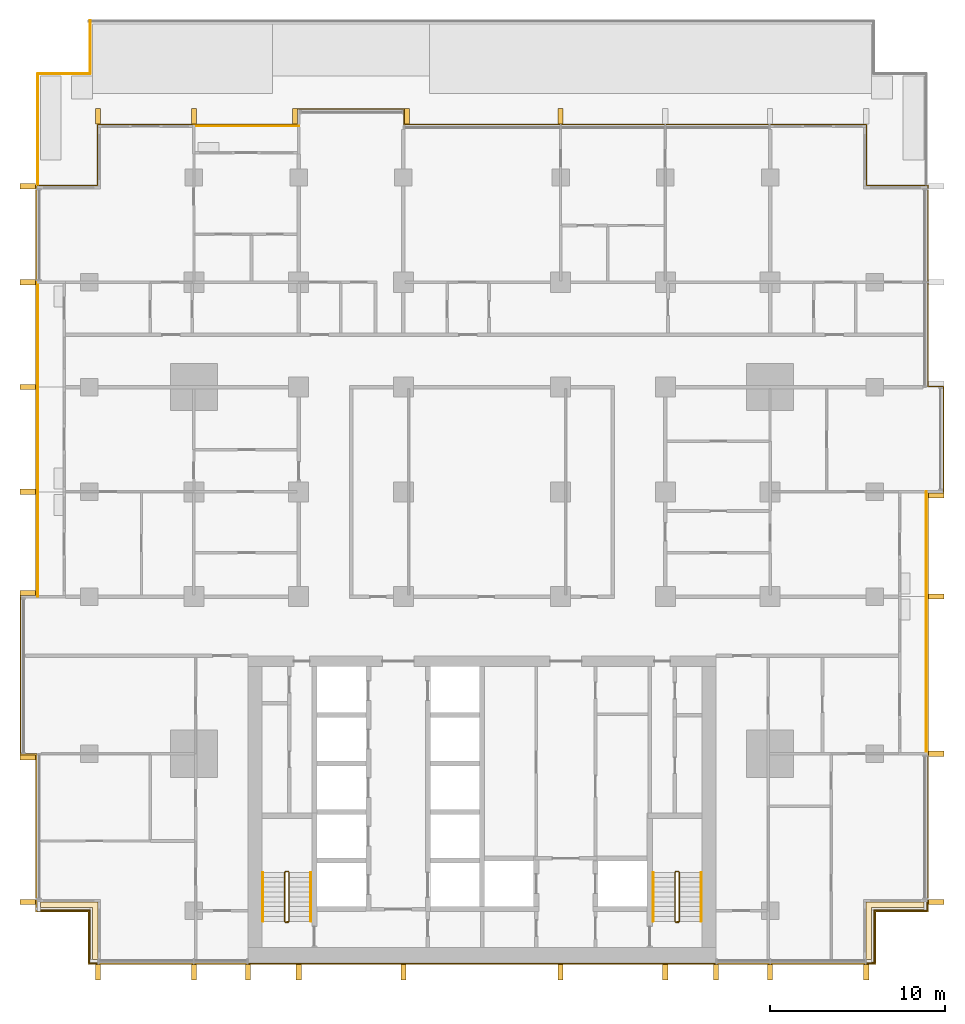
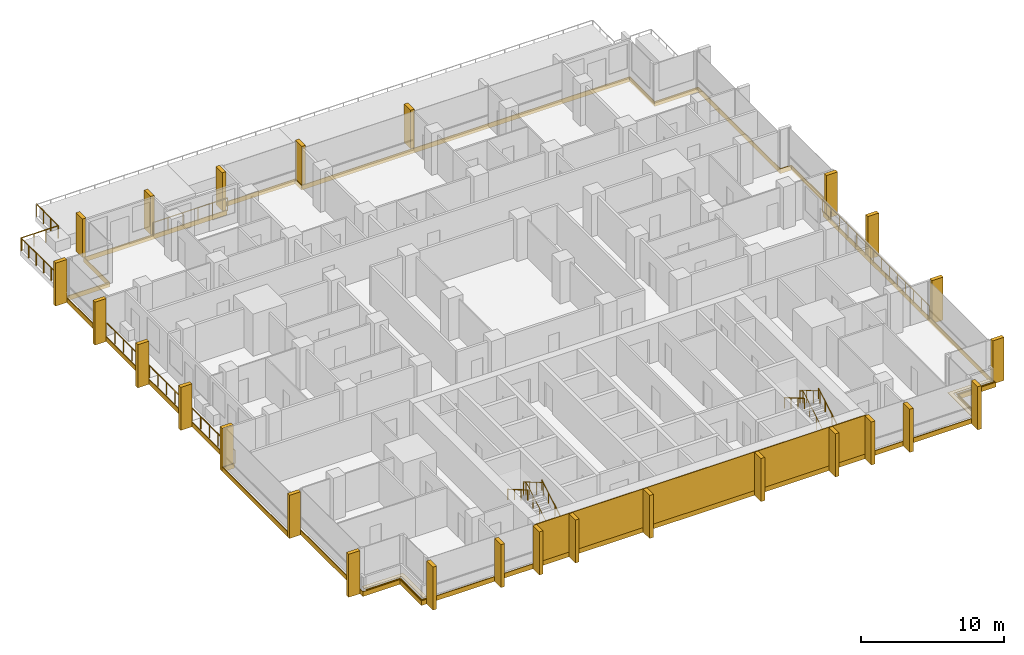
# One storey, part 18 of 19: 26 shading devices, 15 railings, 10 coverings.
"""IFC4 building model written with IfcOpenShell, lengths in metres."""

import ifcopenshell
import ifcopenshell.guid

model = None  # the IFC model being written
_history = None  # IfcOwnerHistory: only IFC2X3 demands one
_inside = {}  # id of a spatial element -> (the spatial element, [elements in it])
_under = {}  # id of a project, library or spatial element -> (it, [spatial elements below it])
_declared = {}  # id of a project -> (the project, [libraries it declares])
_typed = {}  # id of a type object -> (the type object, [elements of that type])
_made_of = {}  # id of a material, layer set ... -> (it, [elements and type objects made of it])


def new_model(schema):
    """Start an empty IFC model of exactly this schema.

    Asked for "IFC4X3", IfcOpenShell would pick the latest addendum, in which some entities
    have other attributes; the version numbers below select the first issue.
    IFC2X3 requires an IfcOwnerHistory on every rooted entity: one is made here for all.
    """
    global model, _history
    if schema == "IFC4X3":
        model = ifcopenshell.file(schema_version=(4, 3, 0, 0))
    else:
        model = ifcopenshell.file(schema=schema)
    _inside.clear()
    _under.clear()
    _declared.clear()
    _typed.clear()
    _made_of.clear()
    _history = None
    if model.schema == "IFC2X3":
        org = make("IfcOrganization", Name="unknown")
        user = make(
            "IfcPersonAndOrganization",
            ThePerson=make("IfcPerson", FamilyName="unknown"),
            TheOrganization=org,
        )
        app = make(
            "IfcApplication",
            ApplicationDeveloper=org,
            Version="unknown",
            ApplicationFullName="unknown",
            ApplicationIdentifier="unknown",
        )
        _history = make(
            "IfcOwnerHistory",
            OwningUser=user,
            OwningApplication=app,
            ChangeAction="ADDED",
            CreationDate=0,
        )
    return model


def make(cls, **values):
    """One entity of the class cls with the attributes given. An attribute that is None is left unset."""
    return model.create_entity(
        cls, **{name: value for name, value in values.items() if value is not None}
    )


def rooted(cls, **values):
    """An entity with a GlobalId (a new one), such as an element, a storey or a relation."""
    return make(cls, GlobalId=ifcopenshell.guid.new(), OwnerHistory=_history, **values)


def si_unit(unit_type, name, prefix=None):
    """IfcSIUnit, for example si_unit("LENGTHUNIT", "METRE", prefix="MILLI")."""
    return make("IfcSIUnit", UnitType=unit_type, Prefix=prefix, Name=name)


def assignment(units):
    """IfcUnitAssignment: the units of a project."""
    return None if units is None else make("IfcUnitAssignment", Units=units)


def point(xyz):
    """IfcCartesianPoint."""
    return None if xyz is None else make("IfcCartesianPoint", Coordinates=xyz)


def direction(xyz):
    """IfcDirection."""
    return None if xyz is None else make("IfcDirection", DirectionRatios=xyz)


def frame(location, z_axis=None, x_axis=None):
    """IfcAxis2Placement3D, a coordinate frame: its origin and axes. An axis left out is left unset."""
    return make(
        "IfcAxis2Placement3D",
        Location=point(location),
        Axis=direction(z_axis),
        RefDirection=direction(x_axis),
    )


def frame_2d(location, x_axis=None):
    """IfcAxis2Placement2D, a coordinate frame in the plane: its origin and x axis."""
    return make(
        "IfcAxis2Placement2D", Location=point(location), RefDirection=direction(x_axis)
    )


def origin():
    """The frame at (0, 0, 0) with its axes left unset."""
    return frame((0.0, 0.0, 0.0))


def origin_2d():
    """The frame at (0, 0) in the plane with its x axis left unset."""
    return frame_2d((0.0, 0.0))


def place(relative_to, where):
    """IfcLocalPlacement: puts the frame where relative to a parent placement (None: the world)."""
    return make(
        "IfcLocalPlacement", PlacementRelTo=relative_to, RelativePlacement=where
    )


def context(
    kind, dimensions, precision=None, world=None, true_north=None, identifier=None
):
    """IfcGeometricRepresentationContext, for example the 3D "Model" context."""
    return make(
        "IfcGeometricRepresentationContext",
        ContextIdentifier=identifier,
        ContextType=kind,
        CoordinateSpaceDimension=dimensions,
        Precision=precision,
        WorldCoordinateSystem=world,
        TrueNorth=true_north,
    )


def subcontext(parent, identifier, kind, view, scale=None):
    """IfcGeometricRepresentationSubContext, for example "Body" below "Model"."""
    return make(
        "IfcGeometricRepresentationSubContext",
        ContextIdentifier=identifier,
        ContextType=kind,
        ParentContext=parent,
        TargetScale=scale,
        TargetView=view,
    )


def project(units=None, contexts=None):
    """IfcProject with its units and contexts."""
    return rooted(
        "IfcProject",
        Name="project",
        RepresentationContexts=contexts,
        UnitsInContext=assignment(units),
    )


def spatial(cls, under=None, at=None, **own):
    """A site, building, storey or space (cls), placed at a placement, below another one or the project."""
    s = rooted(cls, ObjectPlacement=at, **own)
    if under is not None:
        _under.setdefault(under.id(), (under, []))[1].append(s)
    return s


def polyline(points):
    """IfcPolyline through the points."""
    return make("IfcPolyline", Points=[point(p) for p in points])


def profile(cls, at=None, kind="AREA", **sizes):
    """A parametric profile (cls). Its sizes go by their IFC names, for example OverallWidth=200.0."""
    return make(cls, ProfileType=kind, Position=at, **sizes)


def rectangle(**sizes):
    """IfcRectangleProfileDef."""
    return profile("IfcRectangleProfileDef", **sizes)


def circle(**sizes):
    """IfcCircleProfileDef."""
    return profile("IfcCircleProfileDef", **sizes)


def outline(outer, holes=None, kind="AREA"):
    """IfcArbitraryClosedProfileDef: a profile drawn as a closed curve; with holes, ...WithVoids."""
    if holes is None:
        return make("IfcArbitraryClosedProfileDef", ProfileType=kind, OuterCurve=outer)
    return make(
        "IfcArbitraryProfileDefWithVoids",
        ProfileType=kind,
        OuterCurve=outer,
        InnerCurves=holes,
    )


def extrude(swept, where, along, depth):
    """IfcExtrudedAreaSolid: the profile swept, set in the frame where, extruded along a direction by depth."""
    return make(
        "IfcExtrudedAreaSolid",
        SweptArea=swept,
        Position=where,
        ExtrudedDirection=direction(along),
        Depth=depth,
    )


def shape(context_of_items, identifier, shape_type, items):
    """IfcShapeRepresentation: the items that make up one representation, for example the "Body"."""
    return make(
        "IfcShapeRepresentation",
        ContextOfItems=context_of_items,
        RepresentationIdentifier=identifier,
        RepresentationType=shape_type,
        Items=items,
    )


def material(Name=None, Category=None):
    """IfcMaterial."""
    return make("IfcMaterial", Name=Name, Category=Category)


def layer(
    of_material, thickness, ventilated=None, Name=None, Category=None, Priority=None
):
    """IfcMaterialLayer: one layer of a wall or slab, of a material (None: an air gap)."""
    return make(
        "IfcMaterialLayer",
        Material=of_material,
        LayerThickness=thickness,
        IsVentilated=ventilated,
        Name=Name,
        Category=Category,
        Priority=Priority,
    )


def layer_set(layers, Name=None):
    """IfcMaterialLayerSet."""
    return make("IfcMaterialLayerSet", MaterialLayers=layers, LayerSetName=Name)


def made_of(thing, what):
    """Note that an element or type object is made of a material, layer set ...; save() writes the relation."""
    if what is not None:
        _made_of.setdefault(what.id(), (what, []))[1].append(thing)
    return thing


def type_object(cls, material=None, **own):
    """A type object (cls), such as IfcWallType, which elements share."""
    return made_of(rooted(cls, **own), material)


def element(
    cls,
    number,
    at=None,
    inside=None,
    cuts=None,
    type_object=None,
    material=None,
    context=None,
    identifier="Body",
    shape_type=None,
    held_by="IfcProductDefinitionShape",
    body=None,
    shapes=None,
    **own,
):
    """One element of the class cls, such as IfcWall. Its Tag is "e" and its number.

    at: its placement. inside: the storey or other place that contains it. cuts: it is an
    opening in that element (IfcRelVoidsElement). A single representation is given by context,
    identifier, shape_type and body (its items); several are given by shapes. held_by: the class
    of the entity that holds the representations. save() writes the other relations.
    """
    e = rooted(cls, Tag="e%d" % number, ObjectPlacement=at, **own)
    if body is not None:
        shapes = [shape(context, identifier, shape_type, body)]
    if shapes is not None:
        e.Representation = make(held_by, Representations=shapes)
    if inside is not None:
        _inside.setdefault(inside.id(), (inside, []))[1].append(e)
    if cuts is not None:
        rooted(
            "IfcRelVoidsElement", RelatingBuildingElement=cuts, RelatedOpeningElement=e
        )
    if type_object is not None:
        _typed.setdefault(type_object.id(), (type_object, []))[1].append(e)
    return made_of(e, material)


def aggregate(whole, parts):
    """IfcRelAggregates: a whole, such as a stair, and the parts it consists of."""
    return rooted("IfcRelAggregates", RelatingObject=whole, RelatedObjects=parts)


def save(model, path):
    """Write the relations noted so far, then the file.

    IfcRelAggregates (storeys below a building ...), IfcRelContainedInSpatialStructure (elements
    in a storey), IfcRelDefinesByType, IfcRelAssociatesMaterial and IfcRelDeclares: one each for
    every whole, place, type object, material and project.
    """
    for whole, parts in _under.values():
        aggregate(whole, parts)
    for where, things in _inside.values():
        rooted(
            "IfcRelContainedInSpatialStructure",
            RelatedElements=things,
            RelatingStructure=where,
        )
    for kind, things in _typed.values():
        rooted("IfcRelDefinesByType", RelatedObjects=things, RelatingType=kind)
    for what, things in _made_of.values():
        rooted("IfcRelAssociatesMaterial", RelatedObjects=things, RelatingMaterial=what)
    for by, libraries in _declared.values():
        rooted("IfcRelDeclares", RelatingContext=by, RelatedDefinitions=libraries)
    model.write(path)


model = new_model("IFC4")

# Units and contexts
model_context = context("Model", 3, precision=1e-05, world=origin(), true_north=direction((0.0, 1.0)))
body_context = subcontext(model_context, "Body", "Model", "MODEL_VIEW")
ifc_project = project(units=[si_unit("LENGTHUNIT", "METRE"), si_unit("AREAUNIT", "SQUARE_METRE"), si_unit("VOLUMEUNIT", "CUBIC_METRE"), si_unit("PLANEANGLEUNIT", "RADIAN"), si_unit("MASSUNIT", "GRAM", prefix="KILO")], contexts=[model_context])

# Site, building, storey
site_placement = place(None, origin())
site = spatial("IfcSite", under=ifc_project, at=site_placement, CompositionType="ELEMENT")
building_placement = place(site_placement, origin())
building = spatial("IfcBuilding", under=site, at=building_placement, Name="Finial Court Residences", CompositionType="ELEMENT")
storey_placement = place(building_placement, frame((0.0, 0.0, 81.10009765625)))
storey = spatial("IfcBuildingStorey", under=building, at=storey_placement, Name="L19", CompositionType="ELEMENT", Elevation=81.10009765625)

# Railings
ifc_material_1 = material(Name="Bronze anodised aluminium", Category="aluminium")
railing_type_1 = type_object("IfcRailingType", Name="Balcony guard 1100", PredefinedType="GUARDRAIL", material=ifc_material_1)
railing_1_placement = place(storey_placement, frame((-16.5, 22.449951171875, 0.0)))
element("IfcRailing", 1, at=railing_1_placement, inside=storey, type_object=railing_type_1, Name="E-L19-BALN2-R", PredefinedType="GUARDRAIL", context=body_context, shape_type="SweptSolid", body=[
    extrude(circle(Radius=0.02392578125, at=origin_2d()), frame((0.0, 0.0, 1.076171875), z_axis=(1.0, 0.0, 0.0), x_axis=(0.0, 1.0, 0.0)), (0.0, 0.0, 1.0), 6.0),
    extrude(circle(Radius=0.02099609375, at=origin_2d()), origin(), (0.0, 0.0, 1.0), 1.052001953125),
    extrude(circle(Radius=0.02099609375, at=origin_2d()), frame((1.199951171875, 0.0, 0.0)), (0.0, 0.0, 1.0), 1.052001953125),
    extrude(circle(Radius=0.02099609375, at=origin_2d()), frame((2.39990234375, 0.0, 0.0)), (0.0, 0.0, 1.0), 1.052001953125),
    extrude(circle(Radius=0.02099609375, at=origin_2d()), frame((3.60009765625, 0.0, 0.0)), (0.0, 0.0, 1.0), 1.052001953125),
    extrude(circle(Radius=0.02099609375, at=origin_2d()), frame((4.800048828125, 0.0, 0.0)), (0.0, 0.0, 1.0), 1.052001953125),
    extrude(circle(Radius=0.02099609375, at=origin_2d()), frame((6.0, 0.0, 0.0)), (0.0, 0.0, 1.0), 1.052001953125),
])
railing_2_placement = place(storey_placement, frame((25.449951171875, -13.5, 0.0)))
element("IfcRailing", 2, at=railing_2_placement, inside=storey, type_object=railing_type_1, Name="E-L19-BALE2-R", PredefinedType="GUARDRAIL", context=body_context, shape_type="SweptSolid", body=[
    extrude(circle(Radius=0.02392578125, at=origin_2d()), frame((0.0, 0.0, 1.076171875), z_axis=(0.0, 1.0, 0.0), x_axis=(-1.0, 0.0, 0.0)), (0.0, 0.0, 1.0), 9.0),
    extrude(circle(Radius=0.02099609375, at=origin_2d()), origin(), (0.0, 0.0, 1.0), 1.052001953125),
    extrude(circle(Radius=0.02099609375, at=origin_2d()), frame((0.0, 1.125, 0.0)), (0.0, 0.0, 1.0), 1.052001953125),
    extrude(circle(Radius=0.02099609375, at=origin_2d()), frame((0.0, 2.25, 0.0)), (0.0, 0.0, 1.0), 1.052001953125),
    extrude(circle(Radius=0.02099609375, at=origin_2d()), frame((0.0, 3.375, 0.0)), (0.0, 0.0, 1.0), 1.052001953125),
    extrude(circle(Radius=0.02099609375, at=origin_2d()), frame((0.0, 4.5, 0.0)), (0.0, 0.0, 1.0), 1.052001953125),
    extrude(circle(Radius=0.02099609375, at=origin_2d()), frame((0.0, 5.625, 0.0)), (0.0, 0.0, 1.0), 1.052001953125),
    extrude(circle(Radius=0.02099609375, at=origin_2d()), frame((0.0, 6.75, 0.0)), (0.0, 0.0, 1.0), 1.052001953125),
    extrude(circle(Radius=0.02099609375, at=origin_2d()), frame((0.0, 7.875, 0.0)), (0.0, 0.0, 1.0), 1.052001953125),
    extrude(circle(Radius=0.02099609375, at=origin_2d()), frame((0.0, 9.0, 0.0)), (0.0, 0.0, 1.0), 1.052001953125),
])
for number, where, name in (
    (3, (25.449951171875, -4.5, 0.0), "E-L19-BALE3-R"),
    (4, (-25.449951171875, -4.5, 0.0), "E-L19-BALW3-R"),
    (5, (-25.449951171875, 1.5, 0.0), "E-L19-BALW4-R"),
    (6, (-25.449951171875, 7.5, 0.0), "E-L19-BALW5-R"),
):
    element("IfcRailing", number, at=place(storey_placement, frame(where)), inside=storey, type_object=railing_type_1, Name=name, PredefinedType="GUARDRAIL", context=body_context, shape_type="SweptSolid", body=[
        extrude(circle(Radius=0.02392578125, at=origin_2d()), frame((0.0, 0.0, 1.076171875), z_axis=(0.0, 1.0, 0.0), x_axis=(-1.0, 0.0, 0.0)), (0.0, 0.0, 1.0), 6.0),
        extrude(circle(Radius=0.02099609375, at=origin_2d()), origin(), (0.0, 0.0, 1.0), 1.052001953125),
        extrude(circle(Radius=0.02099609375, at=origin_2d()), frame((0.0, 1.199951171875, 0.0)), (0.0, 0.0, 1.0), 1.052001953125),
        extrude(circle(Radius=0.02099609375, at=origin_2d()), frame((0.0, 2.39990234375, 0.0)), (0.0, 0.0, 1.0), 1.052001953125),
        extrude(circle(Radius=0.02099609375, at=origin_2d()), frame((0.0, 3.60009765625, 0.0)), (0.0, 0.0, 1.0), 1.052001953125),
        extrude(circle(Radius=0.02099609375, at=origin_2d()), frame((0.0, 4.800048828125, 0.0)), (0.0, 0.0, 1.0), 1.052001953125),
        extrude(circle(Radius=0.02099609375, at=origin_2d()), frame((0.0, 6.0, 0.0)), (0.0, 0.0, 1.0), 1.052001953125),
    ])

# Coverings
ifc_material_2 = material(Name="Natural limestone", Category="masonry")
ifc_layer_1 = layer(ifc_material_2, 0.06005859375)
ifc_layer_set_1 = layer_set([ifc_layer_1], Name="Limestone cladding to the blind core face 60")
covering_type_1 = type_object("IfcCoveringType", Name="Limestone cladding to the blind core face 60", PredefinedType="CLADDING", material=ifc_layer_set_1)
covering_1_placement = place(storey_placement, origin())
element("IfcCovering", 7, at=covering_1_placement, inside=storey, type_object=covering_type_1, Name="E-L19-CLAD1", PredefinedType="CLADDING", context=body_context, shape_type="SweptSolid", body=[
    extrude(outline(polyline([(-10.5, -25.56005859375), (-10.5, -25.5), (-13.39990234375, -25.5), (-13.39990234375, -25.56005859375), (-10.5, -25.56005859375)])), origin(), (0.0, 0.0, 1.0), 3.2998046875),
])
covering_2_placement = place(storey_placement, origin())
element("IfcCovering", 8, at=covering_2_placement, inside=storey, type_object=covering_type_1, Name="E-L19-CLAD2", PredefinedType="CLADDING", context=body_context, shape_type="SweptSolid", body=[
    extrude(outline(polyline([(-4.5, -25.56005859375), (-4.5, -25.5), (-10.5, -25.5), (-10.5, -25.56005859375), (-4.5, -25.56005859375)])), origin(), (0.0, 0.0, 1.0), 3.2998046875),
])
covering_3_placement = place(storey_placement, origin())
element("IfcCovering", 9, at=covering_3_placement, inside=storey, type_object=covering_type_1, Name="E-L19-CLAD3", PredefinedType="CLADDING", context=body_context, shape_type="SweptSolid", body=[
    extrude(outline(polyline([(4.5, -25.56005859375), (4.5, -25.5), (-4.5, -25.5), (-4.5, -25.56005859375), (4.5, -25.56005859375)])), origin(), (0.0, 0.0, 1.0), 3.2998046875),
])
covering_4_placement = place(storey_placement, origin())
element("IfcCovering", 10, at=covering_4_placement, inside=storey, type_object=covering_type_1, Name="E-L19-CLAD4", PredefinedType="CLADDING", context=body_context, shape_type="SweptSolid", body=[
    extrude(outline(polyline([(10.5, -25.56005859375), (10.5, -25.5), (4.5, -25.5), (4.5, -25.56005859375), (10.5, -25.56005859375)])), origin(), (0.0, 0.0, 1.0), 3.2998046875),
])
covering_5_placement = place(storey_placement, origin())
element("IfcCovering", 11, at=covering_5_placement, inside=storey, type_object=covering_type_1, Name="E-L19-CLAD5", PredefinedType="CLADDING", context=body_context, shape_type="SweptSolid", body=[
    extrude(outline(polyline([(13.39990234375, -25.56005859375), (13.39990234375, -25.5), (10.5, -25.5), (10.5, -25.56005859375), (13.39990234375, -25.56005859375)])), origin(), (0.0, 0.0, 1.0), 3.2998046875),
])

# Shading devices
shading_device_type = type_object("IfcShadingDeviceType", Name="Limestone fin 300 x 900", PredefinedType="USERDEFINED", material=ifc_material_2)
for number, where, z_axis, x_axis, name in (
    (12, (-22.0, 23.010009765625, 0.0), (0.0, 0.0, 1.0), (1.0, 0.0, 0.0), "E-L19-FIN-N1"),
    (13, (-16.5, 23.010009765625, 0.0), (0.0, 0.0, 1.0), (1.0, 0.0, 0.0), "E-L19-FIN-N2"),
    (14, (-10.7099609375, 23.010009765625, 0.0), (0.0, 0.0, 1.0), (1.0, 0.0, 0.0), "E-L19-FIN-N3"),
    (15, (-4.2900390625, 23.010009765625, 0.0), (0.0, 0.0, 1.0), (1.0, 0.0, 0.0), "E-L19-FIN-N4"),
    (16, (4.5, 23.010009765625, 0.0), (0.0, 0.0, 1.0), (1.0, 0.0, 0.0), "E-L19-FIN-N5"),
):
    element("IfcShadingDevice", number, at=place(storey_placement, frame(where, z_axis=z_axis, x_axis=x_axis)), inside=storey, type_object=shading_device_type, Name=name, ObjectType="FIN", PredefinedType="USERDEFINED", context=body_context, shape_type="SweptSolid", body=[
        extrude(rectangle(XDim=0.300048828125, YDim=0.89990234375, at=origin_2d()), origin(), (0.0, 0.0, 1.0), 3.280029296875),
    ])
for number, where, z_axis, x_axis, name in (
    (17, (26.010009765625, -22.0, -0.39990234375), (0.0, 0.0, 1.0), (1.0, 0.0, 0.0), "E-L19-FIN-E9"),
    (18, (26.010009765625, -13.5, -0.39990234375), (0.0, 0.0, 1.0), (1.0, 0.0, 0.0), "E-L19-FIN-E10"),
    (19, (26.010009765625, -4.5, -0.39990234375), (0.0, 0.0, 1.0), (1.0, 0.0, 0.0), "E-L19-FIN-E11"),
    (20, (26.010009765625, 1.2900390625, -0.39990234375), (0.0, 0.0, 1.0), (1.0, 0.0, 0.0), "E-L19-FIN-E12"),
):
    element("IfcShadingDevice", number, at=place(storey_placement, frame(where, z_axis=z_axis, x_axis=x_axis)), inside=storey, type_object=shading_device_type, Name=name, ObjectType="FIN", PredefinedType="USERDEFINED", context=body_context, shape_type="SweptSolid", body=[
        extrude(rectangle(XDim=0.89990234375, YDim=0.300048828125, at=origin_2d()), origin(), (0.0, 0.0, 1.0), 3.679931640625),
    ])
for number, where, z_axis, x_axis, name in (
    (21, (-22.0, -26.010009765625, -0.39990234375), (0.0, 0.0, 1.0), (1.0, 0.0, 0.0), "E-L19-FIN-S16"),
    (22, (-16.5, -26.010009765625, -0.39990234375), (0.0, 0.0, 1.0), (1.0, 0.0, 0.0), "E-L19-FIN-S17"),
    (23, (-13.39990234375, -26.010009765625, -0.39990234375), (0.0, 0.0, 1.0), (1.0, 0.0, 0.0), "E-L19-FIN-S18"),
    (24, (-10.5, -26.010009765625, -0.39990234375), (0.0, 0.0, 1.0), (1.0, 0.0, 0.0), "E-L19-FIN-S19"),
    (25, (-4.5, -26.010009765625, -0.39990234375), (0.0, 0.0, 1.0), (1.0, 0.0, 0.0), "E-L19-FIN-S20"),
    (26, (4.5, -26.010009765625, -0.39990234375), (0.0, 0.0, 1.0), (1.0, 0.0, 0.0), "E-L19-FIN-S21"),
    (27, (10.5, -26.010009765625, -0.39990234375), (0.0, 0.0, 1.0), (1.0, 0.0, 0.0), "E-L19-FIN-S22"),
    (28, (13.39990234375, -26.010009765625, -0.39990234375), (0.0, 0.0, 1.0), (1.0, 0.0, 0.0), "E-L19-FIN-S23"),
    (29, (16.5, -26.010009765625, -0.39990234375), (0.0, 0.0, 1.0), (1.0, 0.0, 0.0), "E-L19-FIN-S24"),
    (30, (22.0, -26.010009765625, -0.39990234375), (0.0, 0.0, 1.0), (1.0, 0.0, 0.0), "E-L19-FIN-S25"),
):
    element("IfcShadingDevice", number, at=place(storey_placement, frame(where, z_axis=z_axis, x_axis=x_axis)), inside=storey, type_object=shading_device_type, Name=name, ObjectType="FIN", PredefinedType="USERDEFINED", context=body_context, shape_type="SweptSolid", body=[
        extrude(rectangle(XDim=0.300048828125, YDim=0.89990234375, at=origin_2d()), origin(), (0.0, 0.0, 1.0), 3.679931640625),
    ])
for number, where, z_axis, x_axis, name in (
    (31, (-26.010009765625, -22.0, -0.39990234375), (0.0, 0.0, 1.0), (1.0, 0.0, 0.0), "E-L19-FIN-W26"),
    (32, (-26.010009765625, -13.7099609375, -0.39990234375), (0.0, 0.0, 1.0), (1.0, 0.0, 0.0), "E-L19-FIN-W27"),
    (33, (-26.010009765625, -4.2900390625, -0.39990234375), (0.0, 0.0, 1.0), (1.0, 0.0, 0.0), "E-L19-FIN-W28"),
    (34, (-26.010009765625, 1.5, -0.39990234375), (0.0, 0.0, 1.0), (1.0, 0.0, 0.0), "E-L19-FIN-W29"),
    (35, (-26.010009765625, 7.5, -0.39990234375), (0.0, 0.0, 1.0), (1.0, 0.0, 0.0), "E-L19-FIN-W30"),
    (36, (-26.010009765625, 13.5, -0.39990234375), (0.0, 0.0, 1.0), (1.0, 0.0, 0.0), "E-L19-FIN-W31"),
    (37, (-26.010009765625, 19.0, -0.39990234375), (0.0, 0.0, 1.0), (1.0, 0.0, 0.0), "E-L19-FIN-W32"),
):
    element("IfcShadingDevice", number, at=place(storey_placement, frame(where, z_axis=z_axis, x_axis=x_axis)), inside=storey, type_object=shading_device_type, Name=name, ObjectType="FIN", PredefinedType="USERDEFINED", context=body_context, shape_type="SweptSolid", body=[
        extrude(rectangle(XDim=0.89990234375, YDim=0.300048828125, at=origin_2d()), origin(), (0.0, 0.0, 1.0), 3.679931640625),
    ])

# Coverings
ifc_material_3 = material(Name="Pale limestone", Category="masonry")
ifc_layer_2 = layer(ifc_material_3, 0.06005859375)
ifc_layer_set_2 = layer_set([ifc_layer_2], Name="Pale limestone slab-edge band 60")
covering_type_2 = type_object("IfcCoveringType", Name="Pale limestone slab-edge band 60", PredefinedType="CLADDING", material=ifc_layer_set_2)
covering_6_placement = place(storey_placement, frame((0.0, 0.0, -0.400146484375)))
element("IfcCovering", 38, at=covering_6_placement, inside=storey, type_object=covering_type_2, Name="E-L19-BAND1", PredefinedType="CLADDING", context=body_context, shape_type="SweptSolid", body=[
    extrude(outline(polyline([(-22.56005859375, -22.56005859375), (-25.56005859375, -22.56005859375), (-25.56005859375, -13.56005859375), (-26.4599609375, -13.56005859375), (-26.4599609375, -4.43994140625), (-25.56005859375, -4.43994140625), (-25.56005859375, 19.06005859375), (-22.06005859375, 19.06005859375), (-22.06005859375, 22.56005859375), (-10.56005859375, 22.56005859375), (-10.56005859375, 23.4599609375), (-4.43994140625, 23.4599609375), (-4.43994140625, 22.56005859375), (22.06005859375, 22.56005859375), (22.06005859375, 19.06005859375), (25.56005859375, 19.06005859375), (25.56005859375, 7.56005859375), (26.4599609375, 7.56005859375), (26.4599609375, 1.43994140625), (25.56005859375, 1.43994140625), (25.56005859375, -22.56005859375), (22.56005859375, -22.56005859375), (22.56005859375, -25.56005859375), (-22.56005859375, -25.56005859375), (-22.56005859375, -22.56005859375)]), holes=[polyline([(-22.0, -25.5), (22.0, -25.5), (22.5, -25.5), (22.5, -22.5), (25.5, -22.5), (25.5, -22.0), (25.5, -13.5), (25.5, -4.5), (25.5, 1.5), (26.39990234375, 1.5), (26.39990234375, 7.5), (25.5, 7.5), (25.5, 19.0), (22.0, 19.0), (22.0, 22.5), (-4.5, 22.5), (-4.5, 23.39990234375), (-10.5, 23.39990234375), (-10.5, 22.5), (-16.5, 22.5), (-22.0, 22.5), (-22.0, 19.0), (-25.5, 19.0), (-25.5, 13.5), (-25.5, 7.5), (-25.5, 1.5), (-25.5, -4.5), (-26.39990234375, -4.5), (-26.39990234375, -13.5), (-25.5, -13.5), (-25.5, -22.0), (-25.5, -22.5), (-22.5, -22.5), (-22.5, -25.5), (-22.0, -25.5)])]), origin(), (0.0, 0.0, 1.0), 0.400146484375),
])
ifc_material_4 = material(Name="Bitumen membrane")
ifc_layer_3 = layer(ifc_material_4, 0.0400390625)
ifc_layer_set_3 = layer_set([ifc_layer_3], Name="Push box roofing, bitumen membrane 40")
covering_type_3 = type_object("IfcCoveringType", Name="Push box roofing, bitumen membrane 40", PredefinedType="ROOFING", material=ifc_layer_set_3)
covering_7_placement = place(storey_placement, origin())
element("IfcCovering", 39, at=covering_7_placement, inside=storey, type_object=covering_type_3, Name="E-L19-LED1", PredefinedType="ROOFING", context=body_context, shape_type="SweptSolid", body=[
    extrude(outline(polyline([(25.300048828125, -22.0), (25.300048828125, -22.300048828125), (22.300048828125, -22.300048828125), (22.300048828125, -22.449951171875), (22.300048828125, -25.300048828125), (22.0, -25.300048828125), (22.0, -22.0), (25.300048828125, -22.0)])), origin(), (0.0, 0.0, 1.0), 0.039794921875),
])
covering_8_placement = place(storey_placement, origin())
element("IfcCovering", 40, at=covering_8_placement, inside=storey, type_object=covering_type_3, Name="E-L19-LED1b", PredefinedType="ROOFING", context=body_context, shape_type="SweptSolid", body=[
    extrude(outline(polyline([(25.5, -22.0), (25.5, -22.5), (22.5, -22.5), (22.5, -25.5), (22.0, -25.5), (22.0, -25.449951171875), (22.300048828125, -25.449951171875), (22.449951171875, -25.449951171875), (22.449951171875, -22.449951171875), (25.300048828125, -22.449951171875), (25.449951171875, -22.449951171875), (25.449951171875, -22.0), (25.5, -22.0)])), origin(), (0.0, 0.0, 1.0), 0.039794921875),
])
covering_9_placement = place(storey_placement, origin())
element("IfcCovering", 41, at=covering_9_placement, inside=storey, type_object=covering_type_3, Name="E-L19-LED2c", PredefinedType="ROOFING", context=body_context, shape_type="SweptSolid", body=[
    extrude(outline(polyline([(-22.0, -22.0), (-22.0, -25.300048828125), (-22.300048828125, -25.300048828125), (-22.300048828125, -22.300048828125), (-22.449951171875, -22.300048828125), (-25.300048828125, -22.300048828125), (-25.300048828125, -22.0), (-22.0, -22.0)])), origin(), (0.0, 0.0, 1.0), 0.039794921875),
])
covering_10_placement = place(storey_placement, origin())
element("IfcCovering", 42, at=covering_10_placement, inside=storey, type_object=covering_type_3, Name="E-L19-LED2d", PredefinedType="ROOFING", context=body_context, shape_type="SweptSolid", body=[
    extrude(outline(polyline([(-22.0, -25.5), (-22.5, -25.5), (-22.5, -22.5), (-25.300048828125, -22.5), (-25.300048828125, -22.449951171875), (-22.449951171875, -22.449951171875), (-22.449951171875, -25.300048828125), (-22.449951171875, -25.449951171875), (-22.0, -25.449951171875), (-22.0, -25.5)])), origin(), (0.0, 0.0, 1.0), 0.039794921875),
])

# Railings
ifc_material_5 = material(Name="Stainless steel railing", Category="steel")
railing_type_2 = type_object("IfcRailingType", Name="Stair guard 1100", PredefinedType="GUARDRAIL", material=ifc_material_5)
railing_3_placement = place(storey_placement, frame((-11.10009765625, -23.14990234375, 0.0)))
element("IfcRailing", 43, at=railing_3_placement, inside=storey, type_object=railing_type_2, Name="L19 ST-1 stair guard 1", PredefinedType="GUARDRAIL", context=body_context, shape_type="SweptSolid", body=[
    extrude(circle(Radius=0.02392578125, at=origin_2d()), frame((0.0, 0.0, 1.076171875), z_axis=(-1.0, 0.0, 0.0), x_axis=(0.0, -1.0, 0.0)), (0.0, 0.0, 1.0), 0.14990234375),
    extrude(circle(Radius=0.02392578125, at=origin_2d()), frame((-0.14990234375, 0.0, 1.076171875), z_axis=(0.760004195007, 0.189305074214, 0.621737253547), x_axis=(-0.241699205484, 0.970351222016, 0.0)), (0.0, 0.0, 1.0), 0.26318359375),
    extrude(circle(Radius=0.02392578125, at=origin_2d()), frame((0.050048828125, 0.0498046875, 1.23974609375), z_axis=(0.0, 0.863393664356, 0.504530851732), x_axis=(-1.0, 0.0, 0.0)), (0.0, 0.0, 1.0), 3.2431640625),
    extrude(circle(Radius=0.02392578125, at=origin_2d()), frame((0.050048828125, 2.849853515625, 2.8759765625), z_axis=(-0.707106781187, 0.707106781187, 0.0), x_axis=(-0.707106781187, -0.707106781187, 0.0)), (0.0, 0.0, 1.0), 0.07080078125),
    extrude(circle(Radius=0.02392578125, at=origin_2d()), frame((0.0, 2.89990234375, 2.8759765625), z_axis=(-1.0, 0.0, 0.0), x_axis=(0.0, -1.0, 0.0)), (0.0, 0.0, 1.0), 0.14990234375),
    extrude(circle(Radius=0.02392578125, at=origin_2d()), frame((-0.14990234375, 2.89990234375, 2.8759765625), z_axis=(-0.280456126637, -0.280456126637, 0.917980785237), x_axis=(0.707106781187, -0.707106781187, 0.0)), (0.0, 0.0, 1.0), 0.178466796875),
    extrude(circle(Radius=0.02392578125, at=origin_2d()), frame((-0.199951171875, 2.849853515625, 3.03955078125), z_axis=(0.0, -0.863393664356, 0.504530851732), x_axis=(1.0, 0.0, 0.0)), (0.0, 0.0, 1.0), 3.2431640625),
    extrude(circle(Radius=0.02099609375, at=origin_2d()), origin(), (0.0, 0.0, 1.0), 1.052001953125),
    extrude(circle(Radius=0.02099609375, at=origin_2d()), frame((-0.14990234375, 0.0, 0.0)), (0.0, 0.0, 1.0), 1.052001953125),
    extrude(circle(Radius=0.02099609375, at=origin_2d()), frame((0.050048828125, 0.0498046875, 0.16357421875)), (0.0, 0.0, 1.0), 1.052001953125),
    extrude(circle(Radius=0.02099609375, at=origin_2d()), frame((0.050048828125, 0.983154296875, 0.708984375)), (0.0, 0.0, 1.0), 1.052001953125),
    extrude(circle(Radius=0.02099609375, at=origin_2d()), frame((0.050048828125, 1.91650390625, 1.25439453125)), (0.0, 0.0, 1.0), 1.052001953125),
    extrude(circle(Radius=0.02099609375, at=origin_2d()), frame((0.050048828125, 2.849853515625, 1.7998046875)), (0.0, 0.0, 1.0), 1.052001953125),
    extrude(circle(Radius=0.02099609375, at=origin_2d()), frame((0.0, 2.89990234375, 1.7998046875)), (0.0, 0.0, 1.0), 1.052001953125),
    extrude(circle(Radius=0.02099609375, at=origin_2d()), frame((-0.14990234375, 2.89990234375, 1.7998046875)), (0.0, 0.0, 1.0), 1.052001953125),
    extrude(circle(Radius=0.02099609375, at=origin_2d()), frame((-0.199951171875, 2.849853515625, 1.963623046875)), (0.0, 0.0, 1.0), 1.052001953125),
    extrude(circle(Radius=0.02099609375, at=origin_2d()), frame((-0.199951171875, 1.91650390625, 2.509033203125)), (0.0, 0.0, 1.0), 1.052001953125),
    extrude(circle(Radius=0.02099609375, at=origin_2d()), frame((-0.199951171875, 0.983154296875, 3.054443359375)), (0.0, 0.0, 1.0), 1.052001953125),
    extrude(circle(Radius=0.02099609375, at=origin_2d()), frame((-0.199951171875, 0.0498046875, 3.599853515625)), (0.0, 0.0, 1.0), 1.052001953125),
])
railing_4_placement = place(storey_placement, frame((11.25, -23.14990234375, 0.0)))
element("IfcRailing", 44, at=railing_4_placement, inside=storey, type_object=railing_type_2, Name="L19 ST-2 stair guard 1", PredefinedType="GUARDRAIL", context=body_context, shape_type="SweptSolid", body=[
    extrude(circle(Radius=0.02392578125, at=origin_2d()), frame((0.0, 0.0, 1.076171875), z_axis=(-1.0, 0.0, 0.0), x_axis=(0.0, -1.0, 0.0)), (0.0, 0.0, 1.0), 0.14990234375),
    extrude(circle(Radius=0.02392578125, at=origin_2d()), frame((-0.14990234375, 0.0, 1.076171875), z_axis=(0.760004195007, 0.189305074214, 0.621737253547), x_axis=(-0.241699205484, 0.970351222016, 0.0)), (0.0, 0.0, 1.0), 0.26318359375),
    extrude(circle(Radius=0.02392578125, at=origin_2d()), frame((0.050048828125, 0.0498046875, 1.23974609375), z_axis=(0.0, 0.863393664356, 0.504530851732), x_axis=(-1.0, 0.0, 0.0)), (0.0, 0.0, 1.0), 3.2431640625),
    extrude(circle(Radius=0.02392578125, at=origin_2d()), frame((0.050048828125, 2.849853515625, 2.8759765625), z_axis=(-0.707106781187, 0.707106781187, 0.0), x_axis=(-0.707106781187, -0.707106781187, 0.0)), (0.0, 0.0, 1.0), 0.07080078125),
    extrude(circle(Radius=0.02392578125, at=origin_2d()), frame((0.0, 2.89990234375, 2.8759765625), z_axis=(-1.0, 0.0, 0.0), x_axis=(0.0, -1.0, 0.0)), (0.0, 0.0, 1.0), 0.14990234375),
    extrude(circle(Radius=0.02392578125, at=origin_2d()), frame((-0.14990234375, 2.89990234375, 2.8759765625), z_axis=(-0.280456126637, -0.280456126637, 0.917980785237), x_axis=(0.707106781187, -0.707106781187, 0.0)), (0.0, 0.0, 1.0), 0.178466796875),
    extrude(circle(Radius=0.02392578125, at=origin_2d()), frame((-0.199951171875, 2.849853515625, 3.03955078125), z_axis=(0.0, -0.863393664356, 0.504530851732), x_axis=(1.0, 0.0, 0.0)), (0.0, 0.0, 1.0), 3.2431640625),
    extrude(circle(Radius=0.02099609375, at=origin_2d()), origin(), (0.0, 0.0, 1.0), 1.052001953125),
    extrude(circle(Radius=0.02099609375, at=origin_2d()), frame((-0.14990234375, 0.0, 0.0)), (0.0, 0.0, 1.0), 1.052001953125),
    extrude(circle(Radius=0.02099609375, at=origin_2d()), frame((0.050048828125, 0.0498046875, 0.16357421875)), (0.0, 0.0, 1.0), 1.052001953125),
    extrude(circle(Radius=0.02099609375, at=origin_2d()), frame((0.050048828125, 0.983154296875, 0.708984375)), (0.0, 0.0, 1.0), 1.052001953125),
    extrude(circle(Radius=0.02099609375, at=origin_2d()), frame((0.050048828125, 1.91650390625, 1.25439453125)), (0.0, 0.0, 1.0), 1.052001953125),
    extrude(circle(Radius=0.02099609375, at=origin_2d()), frame((0.050048828125, 2.849853515625, 1.7998046875)), (0.0, 0.0, 1.0), 1.052001953125),
    extrude(circle(Radius=0.02099609375, at=origin_2d()), frame((0.0, 2.89990234375, 1.7998046875)), (0.0, 0.0, 1.0), 1.052001953125),
    extrude(circle(Radius=0.02099609375, at=origin_2d()), frame((-0.14990234375, 2.89990234375, 1.7998046875)), (0.0, 0.0, 1.0), 1.052001953125),
    extrude(circle(Radius=0.02099609375, at=origin_2d()), frame((-0.199951171875, 2.849853515625, 1.963623046875)), (0.0, 0.0, 1.0), 1.052001953125),
    extrude(circle(Radius=0.02099609375, at=origin_2d()), frame((-0.199951171875, 1.91650390625, 2.509033203125)), (0.0, 0.0, 1.0), 1.052001953125),
    extrude(circle(Radius=0.02099609375, at=origin_2d()), frame((-0.199951171875, 0.983154296875, 3.054443359375)), (0.0, 0.0, 1.0), 1.052001953125),
    extrude(circle(Radius=0.02099609375, at=origin_2d()), frame((-0.199951171875, 0.0498046875, 3.599853515625)), (0.0, 0.0, 1.0), 1.052001953125),
])
railing_type_3 = type_object("IfcRailingType", Name="Stair handrail 900", PredefinedType="HANDRAIL", material=ifc_material_5)
railing_5_placement = place(storey_placement, frame((-9.800048828125, -23.10009765625, 0.16357421875)))
element("IfcRailing", 45, at=railing_5_placement, inside=storey, type_object=railing_type_3, Name="L19 ST-1 stair handrail 1", PredefinedType="HANDRAIL", context=body_context, shape_type="SweptSolid", body=[
    extrude(circle(Radius=0.02392578125, at=origin_2d()), frame((0.0, 0.0, 0.8759765625), z_axis=(0.0, 0.863393664356, 0.504530851732), x_axis=(-1.0, 0.0, 0.0)), (0.0, 0.0, 1.0), 3.2431640625),
    extrude(circle(Radius=0.02099609375, at=origin_2d()), origin(), (0.0, 0.0, 1.0), 0.851806640625),
    extrude(circle(Radius=0.02099609375, at=origin_2d()), frame((0.0, 0.933349609375, 0.54541015625)), (0.0, 0.0, 1.0), 0.851806640625),
    extrude(circle(Radius=0.02099609375, at=origin_2d()), frame((0.0, 1.86669921875, 1.0908203125)), (0.0, 0.0, 1.0), 0.851806640625),
    extrude(circle(Radius=0.02099609375, at=origin_2d()), frame((0.0, 2.800048828125, 1.63623046875)), (0.0, 0.0, 1.0), 0.851806640625),
])
railing_6_placement = place(storey_placement, frame((-12.550048828125, -20.300048828125, 1.963623046875)))
element("IfcRailing", 46, at=railing_6_placement, inside=storey, type_object=railing_type_3, Name="L19 ST-1 stair handrail 2", PredefinedType="HANDRAIL", context=body_context, shape_type="SweptSolid", body=[
    extrude(circle(Radius=0.02392578125, at=origin_2d()), frame((0.0, 0.0, 0.8759765625), z_axis=(0.0, -0.863393664356, 0.504530851732), x_axis=(1.0, 0.0, 0.0)), (0.0, 0.0, 1.0), 3.2431640625),
    extrude(circle(Radius=0.02099609375, at=origin_2d()), origin(), (0.0, 0.0, 1.0), 0.851806640625),
    extrude(circle(Radius=0.02099609375, at=origin_2d()), frame((0.0, -0.933349609375, 0.54541015625)), (0.0, 0.0, 1.0), 0.851806640625),
    extrude(circle(Radius=0.02099609375, at=origin_2d()), frame((0.0, -1.86669921875, 1.0908203125)), (0.0, 0.0, 1.0), 0.851806640625),
    extrude(circle(Radius=0.02099609375, at=origin_2d()), frame((0.0, -2.800048828125, 1.63623046875)), (0.0, 0.0, 1.0), 0.851806640625),
])
railing_7_placement = place(storey_placement, frame((12.550048828125, -23.10009765625, 0.16357421875)))
element("IfcRailing", 47, at=railing_7_placement, inside=storey, type_object=railing_type_3, Name="L19 ST-2 stair handrail 1", PredefinedType="HANDRAIL", context=body_context, shape_type="SweptSolid", body=[
    extrude(circle(Radius=0.02392578125, at=origin_2d()), frame((0.0, 0.0, 0.8759765625), z_axis=(0.0, 0.863393664356, 0.504530851732), x_axis=(-1.0, 0.0, 0.0)), (0.0, 0.0, 1.0), 3.2431640625),
    extrude(circle(Radius=0.02099609375, at=origin_2d()), origin(), (0.0, 0.0, 1.0), 0.851806640625),
    extrude(circle(Radius=0.02099609375, at=origin_2d()), frame((0.0, 0.933349609375, 0.54541015625)), (0.0, 0.0, 1.0), 0.851806640625),
    extrude(circle(Radius=0.02099609375, at=origin_2d()), frame((0.0, 1.86669921875, 1.0908203125)), (0.0, 0.0, 1.0), 0.851806640625),
    extrude(circle(Radius=0.02099609375, at=origin_2d()), frame((0.0, 2.800048828125, 1.63623046875)), (0.0, 0.0, 1.0), 0.851806640625),
])
railing_8_placement = place(storey_placement, frame((9.800048828125, -20.300048828125, 1.963623046875)))
element("IfcRailing", 48, at=railing_8_placement, inside=storey, type_object=railing_type_3, Name="L19 ST-2 stair handrail 2", PredefinedType="HANDRAIL", context=body_context, shape_type="SweptSolid", body=[
    extrude(circle(Radius=0.02392578125, at=origin_2d()), frame((0.0, 0.0, 0.8759765625), z_axis=(0.0, -0.863393664356, 0.504530851732), x_axis=(1.0, 0.0, 0.0)), (0.0, 0.0, 1.0), 3.2431640625),
    extrude(circle(Radius=0.02099609375, at=origin_2d()), origin(), (0.0, 0.0, 1.0), 0.851806640625),
    extrude(circle(Radius=0.02099609375, at=origin_2d()), frame((0.0, -0.933349609375, 0.54541015625)), (0.0, 0.0, 1.0), 0.851806640625),
    extrude(circle(Radius=0.02099609375, at=origin_2d()), frame((0.0, -1.86669921875, 1.0908203125)), (0.0, 0.0, 1.0), 0.851806640625),
    extrude(circle(Radius=0.02099609375, at=origin_2d()), frame((0.0, -2.800048828125, 1.63623046875)), (0.0, 0.0, 1.0), 0.851806640625),
])
railing_type_4 = type_object("IfcRailingType", Name="Terrace guard 1100", PredefinedType="GUARDRAIL", material=ifc_material_1)
railing_9_placement = place(storey_placement, frame((-25.43994140625, 19.1201171875, 0.0)))
element("IfcRailing", 49, at=railing_9_placement, inside=storey, type_object=railing_type_4, Name="E-L19-TER1-R2-1", PredefinedType="GUARDRAIL", context=body_context, shape_type="SweptSolid", body=[
    extrude(circle(Radius=0.02392578125, at=origin_2d()), frame((0.0, 0.0, 1.076171875), z_axis=(0.0, 1.0, 0.0), x_axis=(-1.0, 0.0, 0.0)), (0.0, 0.0, 1.0), 6.31982421875),
    extrude(circle(Radius=0.02099609375, at=origin_2d()), origin(), (0.0, 0.0, 1.0), 1.052001953125),
    extrude(circle(Radius=0.02099609375, at=origin_2d()), frame((0.0, 1.05322265625, 0.0)), (0.0, 0.0, 1.0), 1.052001953125),
    extrude(circle(Radius=0.02099609375, at=origin_2d()), frame((0.0, 2.106689453125, 0.0)), (0.0, 0.0, 1.0), 1.052001953125),
    extrude(circle(Radius=0.02099609375, at=origin_2d()), frame((0.0, 3.159912109375, 0.0)), (0.0, 0.0, 1.0), 1.052001953125),
    extrude(circle(Radius=0.02099609375, at=origin_2d()), frame((0.0, 4.213134765625, 0.0)), (0.0, 0.0, 1.0), 1.052001953125),
    extrude(circle(Radius=0.02099609375, at=origin_2d()), frame((0.0, 5.2666015625, 0.0)), (0.0, 0.0, 1.0), 1.052001953125),
    extrude(circle(Radius=0.02099609375, at=origin_2d()), frame((0.0, 6.31982421875, 0.0)), (0.0, 0.0, 1.0), 1.052001953125),
])
railing_10_placement = place(storey_placement, frame((-25.389892578125, 25.43994140625, 0.0)))
element("IfcRailing", 50, at=railing_10_placement, inside=storey, type_object=railing_type_4, Name="E-L19-TER1-R2-2", PredefinedType="GUARDRAIL", context=body_context, shape_type="SweptSolid", body=[
    extrude(circle(Radius=0.02392578125, at=origin_2d()), frame((0.0, 0.0, 1.076171875), z_axis=(1.0, 0.0, 0.0), x_axis=(0.0, 1.0, 0.0)), (0.0, 0.0, 1.0), 2.949951171875),
    extrude(circle(Radius=0.02099609375, at=origin_2d()), origin(), (0.0, 0.0, 1.0), 1.052001953125),
    extrude(circle(Radius=0.02099609375, at=origin_2d()), frame((0.9833984375, 0.0, 0.0)), (0.0, 0.0, 1.0), 1.052001953125),
    extrude(circle(Radius=0.02099609375, at=origin_2d()), frame((1.966552734375, 0.0, 0.0)), (0.0, 0.0, 1.0), 1.052001953125),
    extrude(circle(Radius=0.02099609375, at=origin_2d()), frame((2.949951171875, 0.0, 0.0)), (0.0, 0.0, 1.0), 1.052001953125),
])
railing_11_placement = place(storey_placement, frame((-22.43994140625, 25.489990234375, 0.0)))
element("IfcRailing", 51, at=railing_11_placement, inside=storey, type_object=railing_type_4, Name="E-L19-TER1-R2-3", PredefinedType="GUARDRAIL", context=body_context, shape_type="SweptSolid", body=[
    extrude(circle(Radius=0.02392578125, at=origin_2d()), frame((0.0, 0.0, 1.076171875), z_axis=(0.0, 1.0, 0.0), x_axis=(-1.0, 0.0, 0.0)), (0.0, 0.0, 1.0), 3.010009765625),
    extrude(circle(Radius=0.02099609375, at=origin_2d()), origin(), (0.0, 0.0, 1.0), 1.052001953125),
    extrude(circle(Radius=0.02099609375, at=origin_2d()), frame((0.0, 1.00341796875, 0.0)), (0.0, 0.0, 1.0), 1.052001953125),
    extrude(circle(Radius=0.02099609375, at=origin_2d()), frame((0.0, 2.006591796875, 0.0)), (0.0, 0.0, 1.0), 1.052001953125),
    extrude(circle(Radius=0.02099609375, at=origin_2d()), frame((0.0, 3.010009765625, 0.0)), (0.0, 0.0, 1.0), 1.052001953125),
])

save(model, "model.ifc")
